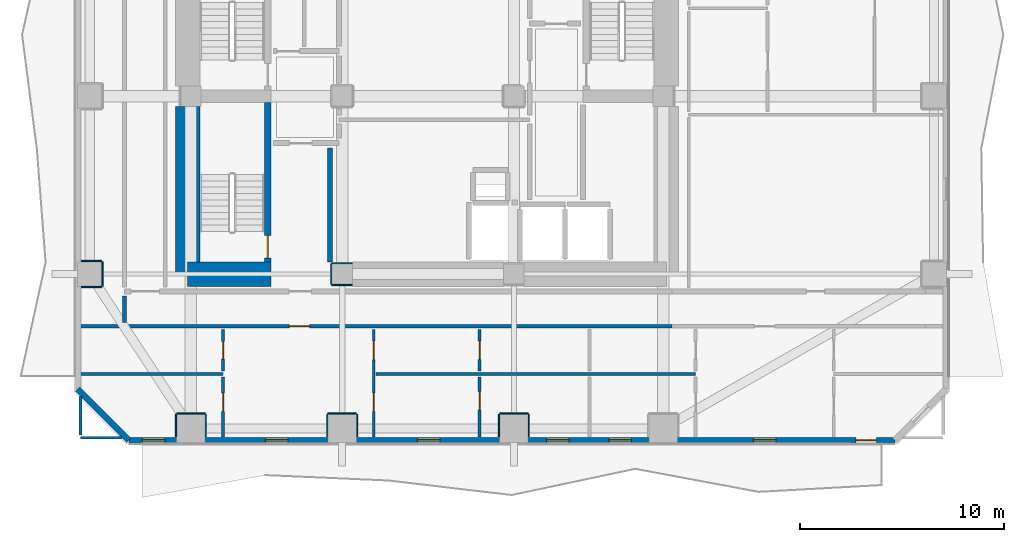
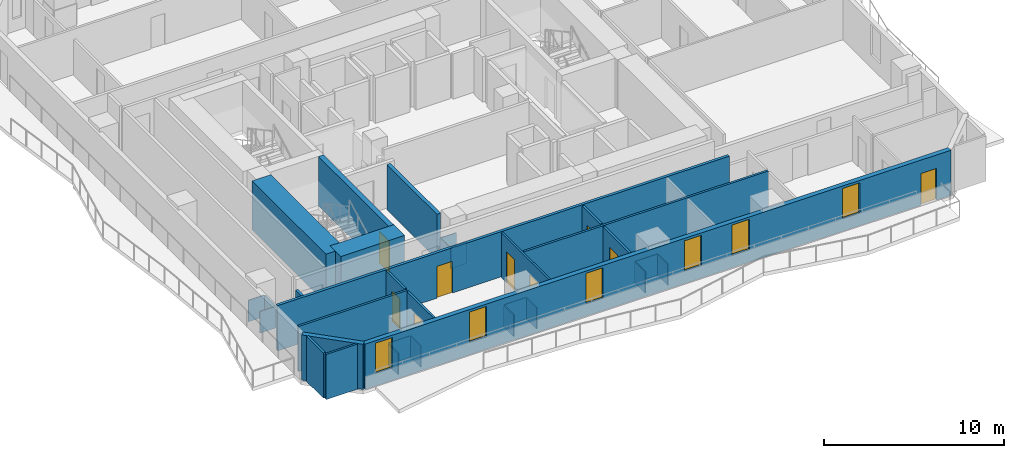
# One storey, part 2 of 11: 32 walls, 9 doors, 6 windows, 15 openings.
"""IFC4 building model written with IfcOpenShell, lengths in metres."""

from ifc_helpers import new_model, si_unit, direction, frame, frame_2d, origin, place, context, subcontext, project, spatial, rectangle, extrude, material, layer, layer_set, type_object, element, fill, save


model = new_model("IFC4")

# Units and contexts
model_context = context("Model", 3, precision=1e-05, world=origin(), true_north=direction((0.0, 1.0)))
body_context = subcontext(model_context, "Body", "Model", "MODEL_VIEW")
ifc_project = project(units=[si_unit("LENGTHUNIT", "METRE"), si_unit("AREAUNIT", "SQUARE_METRE"), si_unit("VOLUMEUNIT", "CUBIC_METRE"), si_unit("PLANEANGLEUNIT", "RADIAN"), si_unit("MASSUNIT", "GRAM", prefix="KILO")], contexts=[model_context])

# Site, building, storey
site_placement = place(None, origin())
site = spatial("IfcSite", under=ifc_project, at=site_placement, CompositionType="ELEMENT")
building_placement = place(site_placement, origin())
building = spatial("IfcBuilding", under=site, at=building_placement, Name="Solanera Arch Residences", CompositionType="ELEMENT")
storey_placement = place(building_placement, frame((0.0, 0.0, 75.1201171875)))
storey = spatial("IfcBuildingStorey", under=building, at=storey_placement, Name="L21", CompositionType="ELEMENT", Elevation=75.1201171875)

# Walls
ifc_material_1 = material(Name="Fire-Rated Gypsum Stud Partition", Category="gypsum")
ifc_layer_1 = layer(ifc_material_1, 0.06005859375)
ifc_layer_set_1 = layer_set([ifc_layer_1], Name="Fire-Rated Gypsum Stud Partition")
wall_type_1 = type_object("IfcWallType", Name="Column Acoustic Furring Wall 60", PredefinedType="PARTITIONING", material=ifc_layer_set_1)
for number, where, z_axis, x_axis, name in (
    (1, (20.300048828125, 21.468017578125, 0.0), (0.0, 0.0, 1.0), (1.0, 0.0, 0.0), "L21 Column Furring 1S"),
    (2, (20.300048828125, 22.531982421875, 0.0), (0.0, 0.0, 1.0), (1.0, 0.0, 0.0), "L21 Column Furring 1N"),
):
    element("IfcWall", number, at=place(storey_placement, frame(where, z_axis=z_axis, x_axis=x_axis)), inside=storey, type_object=wall_type_1, Name=name, PredefinedType="PARTITIONING", context=body_context, shape_type="SweptSolid", body=[
        extrude(rectangle(XDim=0.989990234375, YDim=0.06005859375, at=frame_2d((0.4951171875, 0.0))), origin(), (0.0, 0.0, 1.0), 1.449951171875),
    ])
wall_1_placement = place(storey_placement, frame((20.26806640625, 21.5, 0.0), z_axis=(0.0, 0.0, 1.0), x_axis=(0.0, 1.0, 0.0)))
element("IfcWall", 3, at=wall_1_placement, inside=storey, type_object=wall_type_1, Name="L21 Column Furring 1W", PredefinedType="PARTITIONING", context=body_context, shape_type="SweptSolid", body=[
    extrude(rectangle(XDim=1.0, YDim=0.06005859375, at=frame_2d((0.5, 0.0))), origin(), (0.0, 0.0, 1.0), 1.449951171875),
])
wall_2_placement = place(storey_placement, frame((12.699951171875, 15.181884765625, 0.0), z_axis=(0.0, 0.0, 1.0), x_axis=(1.0, 0.0, 0.0)))
element("IfcWall", 4, at=wall_2_placement, inside=storey, type_object=wall_type_1, Name="L21 Column Furring 9N", PredefinedType="PARTITIONING", context=body_context, shape_type="SweptSolid", body=[
    extrude(rectangle(XDim=1.400146484375, YDim=0.06005859375, at=frame_2d((0.7001953125, 0.0))), origin(), (0.0, 0.0, 1.0), 1.449951171875),
])
for number, where, z_axis, x_axis, name in (
    (5, (12.66796875, 14.030029296875, 0.0), (0.0, 0.0, 1.0), (0.0, 1.0, 0.0), "L21 Column Furring 9W"),
    (6, (14.132080078125, 14.030029296875, 0.0), (0.0, 0.0, 1.0), (0.0, 1.0, 0.0), "L21 Column Furring 9E"),
):
    element("IfcWall", number, at=place(storey_placement, frame(where, z_axis=z_axis, x_axis=x_axis)), inside=storey, type_object=wall_type_1, Name=name, PredefinedType="PARTITIONING", context=body_context, shape_type="SweptSolid", body=[
        extrude(rectangle(XDim=1.119873046875, YDim=0.06005859375, at=frame_2d((0.56005859375, 0.0))), origin(), (0.0, 0.0, 1.0), 1.449951171875),
    ])
wall_3_placement = place(storey_placement, frame((20.10009765625, 15.181884765625, 0.0), z_axis=(0.0, 0.0, 1.0), x_axis=(1.0, 0.0, 0.0)))
element("IfcWall", 7, at=wall_3_placement, inside=storey, type_object=wall_type_1, Name="L21 Column Furring 11N", PredefinedType="PARTITIONING", context=body_context, shape_type="SweptSolid", body=[
    extrude(rectangle(XDim=1.39990234375, YDim=0.06005859375, at=frame_2d((0.699951171875, 0.0))), origin(), (0.0, 0.0, 1.0), 1.449951171875),
])
for number, where, z_axis, x_axis, name in (
    (8, (20.068115234375, 14.030029296875, 0.0), (0.0, 0.0, 1.0), (0.0, 1.0, 0.0), "L21 Column Furring 11W"),
    (9, (21.531982421875, 14.030029296875, 0.0), (0.0, 0.0, 1.0), (0.0, 1.0, 0.0), "L21 Column Furring 11E"),
):
    element("IfcWall", number, at=place(storey_placement, frame(where, z_axis=z_axis, x_axis=x_axis)), inside=storey, type_object=wall_type_1, Name=name, PredefinedType="PARTITIONING", context=body_context, shape_type="SweptSolid", body=[
        extrude(rectangle(XDim=1.119873046875, YDim=0.06005859375, at=frame_2d((0.56005859375, 0.0))), origin(), (0.0, 0.0, 1.0), 1.449951171875),
    ])
wall_4_placement = place(storey_placement, frame((28.5, 15.181884765625, 0.0), z_axis=(0.0, 0.0, 1.0), x_axis=(1.0, 0.0, 0.0)))
element("IfcWall", 10, at=wall_4_placement, inside=storey, type_object=wall_type_1, Name="L21 Column Furring 13N", PredefinedType="PARTITIONING", context=body_context, shape_type="SweptSolid", body=[
    extrude(rectangle(XDim=1.39990234375, YDim=0.06005859375, at=frame_2d((0.699951171875, 0.0))), origin(), (0.0, 0.0, 1.0), 1.449951171875),
])
for number, where, z_axis, x_axis, name in (
    (11, (28.468017578125, 14.030029296875, 0.0), (0.0, 0.0, 1.0), (0.0, 1.0, 0.0), "L21 Column Furring 13W"),
    (12, (29.931884765625, 14.030029296875, 0.0), (0.0, 0.0, 1.0), (0.0, 1.0, 0.0), "L21 Column Furring 13E"),
):
    element("IfcWall", number, at=place(storey_placement, frame(where, z_axis=z_axis, x_axis=x_axis)), inside=storey, type_object=wall_type_1, Name=name, PredefinedType="PARTITIONING", context=body_context, shape_type="SweptSolid", body=[
        extrude(rectangle(XDim=1.119873046875, YDim=0.06005859375, at=frame_2d((0.56005859375, 0.0))), origin(), (0.0, 0.0, 1.0), 1.449951171875),
    ])
for number, where, z_axis, x_axis, name in (
    (13, (8.030029296875, 21.367919921875, 0.0), (0.0, 0.0, 1.0), (1.0, 0.0, 0.0), "L21 Column Furring 17S"),
    (14, (8.030029296875, 22.632080078125, 0.0), (0.0, 0.0, 1.0), (1.0, 0.0, 0.0), "L21 Column Furring 17N"),
):
    element("IfcWall", number, at=place(storey_placement, frame(where, z_axis=z_axis, x_axis=x_axis)), inside=storey, type_object=wall_type_1, Name=name, PredefinedType="PARTITIONING", context=body_context, shape_type="SweptSolid", body=[
        extrude(rectangle(XDim=1.02001953125, YDim=0.06005859375, at=frame_2d((0.510009765625, 0.0))), origin(), (0.0, 0.0, 1.0), 1.449951171875),
    ])
wall_5_placement = place(storey_placement, frame((9.08203125, 21.39990234375, 0.0), z_axis=(0.0, 0.0, 1.0), x_axis=(0.0, 1.0, 0.0)))
element("IfcWall", 15, at=wall_5_placement, inside=storey, type_object=wall_type_1, Name="L21 Column Furring 17E", PredefinedType="PARTITIONING", context=body_context, shape_type="SweptSolid", body=[
    extrude(rectangle(XDim=1.2001953125, YDim=0.06005859375, at=frame_2d((0.60009765625, 0.0))), origin(), (0.0, 0.0, 1.0), 1.449951171875),
])
ifc_material_2 = material(Name="Concrete C55/67 (f'c = 60 MPa)", Category="concrete")
ifc_layer_2 = layer(ifc_material_2, 1.199951171875)
ifc_layer_set_2 = layer_set([ifc_layer_2], Name="Concrete C55/67 (f'c = 60 MPa)")
wall_type_2 = type_object("IfcWallType", Name="Core Shear Wall CW-1200", PredefinedType="SHEAR", material=ifc_layer_set_2)
wall_6_placement = place(storey_placement, frame((13.239990234375, 22.0, 0.0), z_axis=(0.0, 0.0, 1.0), x_axis=(0.0, 1.0, 0.0)))
element("IfcWall", 16, at=wall_6_placement, inside=storey, type_object=wall_type_2, Name="L21 West Core South Shear Wall", PredefinedType="SHEAR", context=body_context, shape_type="SweptSolid", body=[
    extrude(rectangle(XDim=8.195068359375, YDim=1.199951171875, at=frame_2d((4.09765625, 0.0))), origin(), (0.0, 0.0, 1.0), 3.31982421875),
])
wall_7_placement = place(storey_placement, frame((13.239990234375, 22.0, 0.0), z_axis=(0.0, 0.0, 1.0), x_axis=(1.0, 0.0, 0.0)))
element("IfcWall", 17, at=wall_7_placement, inside=storey, type_object=wall_type_2, Name="L21 South-West Core Shear Wall", PredefinedType="SHEAR", context=body_context, shape_type="SweptSolid", body=[
    extrude(rectangle(XDim=4.080078125, YDim=1.199951171875, at=frame_2d((2.0400390625, 0.0))), origin(), (0.0, 0.0, 1.0), 3.31982421875),
])

# Wall, opening, door
ifc_material_3 = material(Name="Concrete C40/50 (f'c = 45 MPa)", Category="concrete")
ifc_layer_3 = layer(ifc_material_3, 0.320068359375)
ifc_layer_set_3 = layer_set([ifc_layer_3], Name="Concrete C40/50 (f'c = 45 MPa)")
wall_type_3 = type_object("IfcWallType", Name="Core Shear Wall CW-320", PredefinedType="SHEAR", material=ifc_layer_set_3)
wall_8_placement = place(storey_placement, frame((17.159912109375, 22.60009765625, 0.0), z_axis=(0.0, 0.0, 1.0), x_axis=(0.0, 1.0, 0.0)))
wall_8 = element("IfcWall", 18, at=wall_8_placement, inside=storey, type_object=wall_type_3, Name="L21 Stair ST-T3 East Shear Wall", PredefinedType="SHEAR", context=body_context, shape_type="SweptSolid", body=[
    extrude(rectangle(XDim=7.7998046875, YDim=0.320068359375, at=frame_2d((3.89990234375, 0.0))), origin(), (0.0, 0.0, 1.0), 3.31982421875),
])
opening_1_placement = place(wall_8_placement, frame((0.18994140625, 0.0, 0.0)))
opening_1 = element("IfcOpeningElement", 19, at=opening_1_placement, cuts=wall_8, Name="Opening DF-01", PredefinedType="OPENING", context=body_context, shape_type="SweptSolid", body=[
    extrude(rectangle(XDim=1.10009765625, YDim=2.14990234375, at=frame_2d((0.550048828125, 1.074951171875))), frame((0.0, 0.169921875, 0.0), z_axis=(0.0, -1.0, 0.0), x_axis=(1.0, 0.0, 0.0)), (0.0, 0.0, 1.0), 0.3401),
])
ifc_material_4 = material(Name="Fire-Rated Architectural Hardwood", Category="wood")
door_type_1 = type_object("IfcDoorType", Name="Stair Exit Fire Door DF-01", OperationType="NOTDEFINED", PredefinedType="DOOR", material=ifc_material_4)
door_1_placement = place(opening_1_placement, origin())
door_1 = element("IfcDoor", 20, at=door_1_placement, inside=storey, type_object=door_type_1, Name="DR-L21-STAIR-ST-T3", OperationType="SINGLE_SWING_LEFT", OverallHeight=2.14990234375, OverallWidth=1.10009765625, PredefinedType="DOOR", context=body_context, shape_type="SweptSolid", body=[
    extrude(rectangle(XDim=1.10009765625, YDim=2.14990234375, at=frame_2d((0.550048828125, 1.074951171875))), frame((0.0, 0.02490234375, 0.0), z_axis=(0.0, -1.0, 0.0), x_axis=(1.0, 0.0, 0.0)), (0.0, 0.0, 1.0), 0.050048828125),
])
fill(opening_1, door_1)

ifc_material_5 = material(Name="Autoclaved Aerated Concrete Blockwork", Category="masonry")
ifc_layer_4 = layer(ifc_material_5, 0.179931640625)
ifc_layer_set_4 = layer_set([ifc_layer_4], Name="Autoclaved Aerated Concrete Blockwork")
wall_type_4 = type_object("IfcWallType", Name="Corridor Fire Partition 180", PredefinedType="PARTITIONING", material=ifc_layer_set_4)
wall_9_placement = place(storey_placement, frame((8.027099609375, 19.449951171875, 0.0), z_axis=(0.0, 0.0, 1.0), x_axis=(1.0, 0.0, 0.0)))
wall_9 = element("IfcWall", 21, at=wall_9_placement, inside=storey, type_object=wall_type_4, Name="L21 Interior Partition H6 1", PredefinedType="PARTITIONING", context=body_context, shape_type="SweptSolid", body=[
    extrude(rectangle(XDim=28.90185546875, YDim=0.179931640625, at=frame_2d((14.450927734375, 0.0))), origin(), (0.0, 0.0, 1.0), 3.059814453125),
])
opening_2_placement = place(wall_9_placement, frame((10.18701171875, 0.0, 0.0)))
opening_2 = element("IfcOpeningElement", 22, at=opening_2_placement, cuts=wall_9, Name="Opening DI-01", PredefinedType="OPENING", context=body_context, shape_type="SweptSolid", body=[
    extrude(rectangle(XDim=1.0, YDim=2.14990234375, at=frame_2d((0.5, 1.074951171875))), frame((0.0, 0.10009765625, 0.0), z_axis=(0.0, -1.0, 0.0), x_axis=(1.0, 0.0, 0.0)), (0.0, 0.0, 1.0), 0.1999),
])
ifc_material_6 = material(Name="Fire-Rated Architectural Hardwood", Category="wood")
door_type_2 = type_object("IfcDoorType", Name="Unit Entrance Fire Door DI-01", OperationType="NOTDEFINED", PredefinedType="DOOR", material=ifc_material_6)
door_2_placement = place(opening_2_placement, origin())
door_2 = element("IfcDoor", 23, at=door_2_placement, inside=storey, type_object=door_type_2, Name="DR-L21-IN-013", OperationType="SINGLE_SWING_LEFT", OverallHeight=2.14990234375, OverallWidth=1.0, PredefinedType="DOOR", context=body_context, shape_type="SweptSolid", body=[
    extrude(rectangle(XDim=1.0, YDim=2.14990234375, at=frame_2d((0.5, 1.074951171875))), frame((0.0, 0.02490234375, 0.0), z_axis=(0.0, -1.0, 0.0), x_axis=(1.0, 0.0, 0.0)), (0.0, 0.0, 1.0), 0.050048828125),
])
fill(opening_2, door_2)

# Wall
wall_10_placement = place(storey_placement, frame((10.14990234375, 19.637939453125, 0.0), z_axis=(0.0, 0.0, 1.0), x_axis=(0.0, 1.0, 0.0)))
element("IfcWall", 24, at=wall_10_placement, inside=storey, type_object=wall_type_4, Name="L21 Interior Partition V6 1", PredefinedType="PARTITIONING", context=body_context, shape_type="SweptSolid", body=[
    extrude(rectangle(XDim=1.2939453125, YDim=0.179931640625, at=frame_2d((0.64697265625, 0.0))), origin(), (0.0, 0.0, 1.0), 2.44482421875),
])

# Wall, openings, door, windows
ifc_material_7 = material(Name="Precast Concrete C35/45", Category="concrete")
ifc_layer_5 = layer(ifc_material_7, 0.300048828125)
ifc_layer_set_5 = layer_set([ifc_layer_5], Name="Precast Concrete C35/45")
wall_type_5 = type_object("IfcWallType", Name="Exterior Wall Precast Masonry-Frame 300", PredefinedType="STANDARD", material=ifc_layer_set_5)
wall_11_placement = place(storey_placement, frame((47.8349609375, 13.864990234375, 0.0), z_axis=(0.0, 0.0, 1.0), x_axis=(-1.0, 0.0, 0.0)))
wall_11 = element("IfcWall", 25, at=wall_11_placement, inside=storey, type_object=wall_type_5, Name="L21 Tower Exterior Precast Masonry-Frame Wall S", PredefinedType="STANDARD", context=body_context, shape_type="SweptSolid", body=[
    extrude(rectangle(XDim=37.469970703125, YDim=0.300048828125, at=frame_2d((18.73486328125, 0.0))), origin(), (0.0, 0.0, 1.0), 3.059814453125),
])
opening_3_placement = place(wall_11_placement, frame((0.90087890625, 0.0, 0.0)))
opening_3 = element("IfcOpeningElement", 26, at=opening_3_placement, cuts=wall_11, Name="Opening DB-01", PredefinedType="OPENING", context=body_context, shape_type="SweptSolid", body=[
    extrude(rectangle(XDim=1.0, YDim=2.14990234375, at=frame_2d((0.5, 1.074951171875))), frame((0.0, 0.159912109375, 0.0), z_axis=(0.0, -1.0, 0.0), x_axis=(1.0, 0.0, 0.0)), (0.0, 0.0, 1.0), 0.32),
])
opening_4_placement = place(wall_11_placement, frame((29.695068359375, 0.0, 0.85009765625)))
opening_4 = element("IfcOpeningElement", 27, at=opening_4_placement, cuts=wall_11, Name="Opening W-11", PredefinedType="OPENING", context=body_context, shape_type="SweptSolid", body=[
    extrude(rectangle(XDim=1.10009765625, YDim=2.050048828125, at=frame_2d((0.550048828125, 1.02490234375))), frame((0.0, 0.159912109375, 0.0), z_axis=(0.0, -1.0, 0.0), x_axis=(1.0, 0.0, 0.0)), (0.0, 0.0, 1.0), 0.32),
])
opening_5_placement = place(wall_11_placement, frame((35.7080078125, 0.0, 0.85009765625)))
opening_5 = element("IfcOpeningElement", 28, at=opening_5_placement, cuts=wall_11, Name="Opening W-11", PredefinedType="OPENING", context=body_context, shape_type="SweptSolid", body=[
    extrude(rectangle(XDim=1.10009765625, YDim=2.050048828125, at=frame_2d((0.550048828125, 1.02490234375))), frame((0.0, 0.159912109375, 0.0), z_axis=(0.0, -1.0, 0.0), x_axis=(1.0, 0.0, 0.0)), (0.0, 0.0, 1.0), 0.32),
])
opening_6_placement = place(wall_11_placement, frame((22.2509765625, 0.0, 0.85009765625)))
opening_6 = element("IfcOpeningElement", 29, at=opening_6_placement, cuts=wall_11, Name="Opening W-11", PredefinedType="OPENING", context=body_context, shape_type="SweptSolid", body=[
    extrude(rectangle(XDim=1.10009765625, YDim=2.050048828125, at=frame_2d((0.550048828125, 1.02490234375))), frame((0.0, 0.159912109375, 0.0), z_axis=(0.0, -1.0, 0.0), x_axis=(1.0, 0.0, 0.0)), (0.0, 0.0, 1.0), 0.32),
])
opening_7_placement = place(wall_11_placement, frame((15.93896484375, 0.0, 0.85009765625)))
opening_7 = element("IfcOpeningElement", 30, at=opening_7_placement, cuts=wall_11, Name="Opening W-11", PredefinedType="OPENING", context=body_context, shape_type="SweptSolid", body=[
    extrude(rectangle(XDim=1.10009765625, YDim=2.050048828125, at=frame_2d((0.550048828125, 1.02490234375))), frame((0.0, 0.159912109375, 0.0), z_axis=(0.0, -1.0, 0.0), x_axis=(1.0, 0.0, 0.0)), (0.0, 0.0, 1.0), 0.32),
])
opening_8_placement = place(wall_11_placement, frame((5.824951171875, 0.0, 0.85009765625)))
opening_8 = element("IfcOpeningElement", 31, at=opening_8_placement, cuts=wall_11, Name="Opening W-11", PredefinedType="OPENING", context=body_context, shape_type="SweptSolid", body=[
    extrude(rectangle(XDim=1.10009765625, YDim=2.050048828125, at=frame_2d((0.550048828125, 1.02490234375))), frame((0.0, 0.159912109375, 0.0), z_axis=(0.0, -1.0, 0.0), x_axis=(1.0, 0.0, 0.0)), (0.0, 0.0, 1.0), 0.32),
])
opening_9_placement = place(wall_11_placement, frame((12.888916015625, 0.0, 0.85009765625)))
opening_9 = element("IfcOpeningElement", 32, at=opening_9_placement, cuts=wall_11, Name="Opening W-11", PredefinedType="OPENING", context=body_context, shape_type="SweptSolid", body=[
    extrude(rectangle(XDim=1.10009765625, YDim=2.050048828125, at=frame_2d((0.550048828125, 1.02490234375))), frame((0.0, 0.159912109375, 0.0), z_axis=(0.0, -1.0, 0.0), x_axis=(1.0, 0.0, 0.0)), (0.0, 0.0, 1.0), 0.32),
])
ifc_material_8 = material(Name="Anodised Aluminium Alloy 6063-T6", Category="aluminium")
door_type_3 = type_object("IfcDoorType", Name="Glazed Balcony Swing Door DB-01", OperationType="NOTDEFINED", PredefinedType="DOOR", material=ifc_material_8)
door_3_placement = place(opening_3_placement, origin())
door_3 = element("IfcDoor", 33, at=door_3_placement, inside=storey, type_object=door_type_3, Name="DR-L21-OUT-01", OperationType="SINGLE_SWING_LEFT", OverallHeight=2.14990234375, OverallWidth=1.0, PredefinedType="DOOR", context=body_context, shape_type="SweptSolid", body=[
    extrude(rectangle(XDim=1.0, YDim=2.14990234375, at=frame_2d((0.5, 1.074951171875))), frame((0.0, 0.02490234375, 0.0), z_axis=(0.0, -1.0, 0.0), x_axis=(1.0, 0.0, 0.0)), (0.0, 0.0, 1.0), 0.050048828125),
])
fill(opening_3, door_3)
ifc_material_9 = material(Name="Double Glazed Low-E Laminated Glass", Category="glass")
window_type = type_object("IfcWindowType", Name="Punched Window W-11", PartitioningType="SINGLE_PANEL", PredefinedType="WINDOW", material=ifc_material_9)
window_1_placement = place(opening_4_placement, origin())
window_1 = element("IfcWindow", 34, at=window_1_placement, inside=storey, type_object=window_type, Name="L21 2101-LIV Punched Window", OverallHeight=2.050048828125, OverallWidth=1.10009765625, PartitioningType="SINGLE_PANEL", PredefinedType="WINDOW", context=body_context, shape_type="SweptSolid", body=[
    extrude(rectangle(XDim=1.10009765625, YDim=2.050048828125, at=frame_2d((0.550048828125, 1.02490234375))), frame((0.0, 0.030029296875, 0.0), z_axis=(0.0, -1.0, 0.0), x_axis=(1.0, 0.0, 0.0)), (0.0, 0.0, 1.0), 0.06005859375),
])
fill(opening_4, window_1)
window_2_placement = place(opening_5_placement, origin())
window_2 = element("IfcWindow", 35, at=window_2_placement, inside=storey, type_object=window_type, Name="L21 2101-BR1 Punched Window", OverallHeight=2.050048828125, OverallWidth=1.10009765625, PartitioningType="SINGLE_PANEL", PredefinedType="WINDOW", context=body_context, shape_type="SweptSolid", body=[
    extrude(rectangle(XDim=1.10009765625, YDim=2.050048828125, at=frame_2d((0.550048828125, 1.02490234375))), frame((0.0, 0.030029296875, 0.0), z_axis=(0.0, -1.0, 0.0), x_axis=(1.0, 0.0, 0.0)), (0.0, 0.0, 1.0), 0.06005859375),
])
fill(opening_5, window_2)
window_3_placement = place(opening_6_placement, origin())
window_3 = element("IfcWindow", 36, at=window_3_placement, inside=storey, type_object=window_type, Name="L21 2101-BR2 Punched Window", OverallHeight=2.050048828125, OverallWidth=1.10009765625, PartitioningType="SINGLE_PANEL", PredefinedType="WINDOW", context=body_context, shape_type="SweptSolid", body=[
    extrude(rectangle(XDim=1.10009765625, YDim=2.050048828125, at=frame_2d((0.550048828125, 1.02490234375))), frame((0.0, 0.030029296875, 0.0), z_axis=(0.0, -1.0, 0.0), x_axis=(1.0, 0.0, 0.0)), (0.0, 0.0, 1.0), 0.06005859375),
])
fill(opening_6, window_3)
window_4_placement = place(opening_7_placement, origin())
window_4 = element("IfcWindow", 37, at=window_4_placement, inside=storey, type_object=window_type, Name="L21 2101-BR3 Punched Window", OverallHeight=2.050048828125, OverallWidth=1.10009765625, PartitioningType="SINGLE_PANEL", PredefinedType="WINDOW", context=body_context, shape_type="SweptSolid", body=[
    extrude(rectangle(XDim=1.10009765625, YDim=2.050048828125, at=frame_2d((0.550048828125, 1.02490234375))), frame((0.0, 0.030029296875, 0.0), z_axis=(0.0, -1.0, 0.0), x_axis=(1.0, 0.0, 0.0)), (0.0, 0.0, 1.0), 0.06005859375),
])
fill(opening_7, window_4)
window_5_placement = place(opening_8_placement, origin())
window_5 = element("IfcWindow", 38, at=window_5_placement, inside=storey, type_object=window_type, Name="L21 2102-LIV Punched Window", OverallHeight=2.050048828125, OverallWidth=1.10009765625, PartitioningType="SINGLE_PANEL", PredefinedType="WINDOW", context=body_context, shape_type="SweptSolid", body=[
    extrude(rectangle(XDim=1.10009765625, YDim=2.050048828125, at=frame_2d((0.550048828125, 1.02490234375))), frame((0.0, 0.030029296875, 0.0), z_axis=(0.0, -1.0, 0.0), x_axis=(1.0, 0.0, 0.0)), (0.0, 0.0, 1.0), 0.06005859375),
])
fill(opening_8, window_5)
window_6_placement = place(opening_9_placement, origin())
window_6 = element("IfcWindow", 39, at=window_6_placement, inside=storey, type_object=window_type, Name="L21 2102-BR1 Punched Window", OverallHeight=2.050048828125, OverallWidth=1.10009765625, PartitioningType="SINGLE_PANEL", PredefinedType="WINDOW", context=body_context, shape_type="SweptSolid", body=[
    extrude(rectangle(XDim=1.10009765625, YDim=2.050048828125, at=frame_2d((0.550048828125, 1.02490234375))), frame((0.0, 0.030029296875, 0.0), z_axis=(0.0, -1.0, 0.0), x_axis=(1.0, 0.0, 0.0)), (0.0, 0.0, 1.0), 0.06005859375),
])
fill(opening_9, window_6)

# Walls
wall_12_placement = place(storey_placement, frame((10.364990234375, 13.864990234375, 0.0), z_axis=(0.0, 0.0, 1.0), x_axis=(-0.707106781187, 0.707106781187, 0.0)))
element("IfcWall", 40, at=wall_12_placement, inside=storey, type_object=wall_type_5, Name="L21 Tower Exterior Precast Masonry-Frame Wall CH7", PredefinedType="STANDARD", context=body_context, shape_type="SweptSolid", body=[
    extrude(rectangle(XDim=3.53564453125, YDim=0.300048828125, at=frame_2d((1.767822265625, 0.0))), origin(), (0.0, 0.0, 1.0), 3.059814453125),
])
ifc_material_10 = material(Name="Autoclaved Aerated Concrete Blockwork", Category="masonry")
ifc_layer_6 = layer(ifc_material_10, 0.239990234375)
ifc_layer_set_6 = layer_set([ifc_layer_6], Name="Autoclaved Aerated Concrete Blockwork")
wall_type_6 = type_object("IfcWallType", Name="Shaft Wall Fire-Rated 240", PredefinedType="PARTITIONING", material=ifc_layer_set_6)
wall_13_placement = place(storey_placement, frame((20.199951171875, 22.5859375, 0.0), z_axis=(0.0, 0.0, 1.0), x_axis=(0.0, 1.0, 0.0)))
element("IfcWall", 41, at=wall_13_placement, inside=storey, type_object=wall_type_6, Name="L21 Interior Partition V2", PredefinedType="PARTITIONING", context=body_context, shape_type="SweptSolid", body=[
    extrude(rectangle(XDim=5.566162109375, YDim=0.239990234375, at=frame_2d((2.783203125, 0.0))), origin(), (0.0, 0.0, 1.0), 3.059814453125),
])
ifc_material_11 = material(Name="Fire-Rated Gypsum Stud Partition", Category="gypsum")
ifc_layer_7 = layer(ifc_material_11, 0.1201171875)
ifc_layer_set_7 = layer_set([ifc_layer_7], Name="Fire-Rated Gypsum Stud Partition")
wall_type_7 = type_object("IfcWallType", Name="Unit Drywall Partition 120", PredefinedType="PARTITIONING", material=ifc_layer_set_7)
wall_14_placement = place(storey_placement, frame((8.0, 14.0, 0.0), z_axis=(0.0, 0.0, 1.0), x_axis=(1.0, 0.0, 0.0)))
element("IfcWall", 42, at=wall_14_placement, inside=storey, type_object=wall_type_7, Name="L21 Interior Partition H19 1", PredefinedType="PARTITIONING", context=body_context, shape_type="SweptSolid", body=[
    extrude(rectangle(XDim=2.0009765625, YDim=0.1201171875, at=frame_2d((1.00048828125, 0.0))), origin(), (0.0, 0.0, 1.0), 3.059814453125),
])

# Wall, openings, doors
wall_15_placement = place(storey_placement, frame((22.35205078125, 14.027099609375, 0.0), z_axis=(0.0, 0.0, 1.0), x_axis=(0.0, 1.0, 0.0)))
wall_15 = element("IfcWall", 43, at=wall_15_placement, inside=storey, type_object=wall_type_7, Name="L21 Interior Partition V22", PredefinedType="PARTITIONING", context=body_context, shape_type="SweptSolid", body=[
    extrude(rectangle(XDim=5.264892578125, YDim=0.1201171875, at=frame_2d((2.63232421875, 0.0))), origin(), (0.0, 0.0, 1.0), 3.059814453125),
])
opening_10_placement = place(wall_15_placement, frame((3.7890625, 0.0, 0.0)))
opening_10 = element("IfcOpeningElement", 44, at=opening_10_placement, cuts=wall_15, Name="Opening DI-02", PredefinedType="OPENING", context=body_context, shape_type="SweptSolid", body=[
    extrude(rectangle(XDim=0.89990234375, YDim=2.10009765625, at=frame_2d((0.449951171875, 1.050048828125))), frame((0.0, 0.070068359375, 0.0), z_axis=(0.0, -1.0, 0.0), x_axis=(1.0, 0.0, 0.0)), (0.0, 0.0, 1.0), 0.1401),
])
opening_11_placement = place(wall_15_placement, frame((1.2490234375, 0.0, 0.0)))
opening_11 = element("IfcOpeningElement", 45, at=opening_11_placement, cuts=wall_15, Name="Opening DI-03", PredefinedType="OPENING", context=body_context, shape_type="SweptSolid", body=[
    extrude(rectangle(XDim=0.89990234375, YDim=2.10009765625, at=frame_2d((0.449951171875, 1.050048828125))), frame((0.0, 0.070068359375, 0.0), z_axis=(0.0, -1.0, 0.0), x_axis=(1.0, 0.0, 0.0)), (0.0, 0.0, 1.0), 0.1401),
])
ifc_material_12 = material(Name="Fire-Rated Architectural Hardwood", Category="wood")
door_type_4 = type_object("IfcDoorType", Name="Bedroom Swing Door DI-03", OperationType="NOTDEFINED", PredefinedType="DOOR", material=ifc_material_12)
door_4_placement = place(opening_11_placement, origin())
door_4 = element("IfcDoor", 46, at=door_4_placement, inside=storey, type_object=door_type_4, Name="DR-L21-IN-018", OperationType="SINGLE_SWING_RIGHT", OverallHeight=2.10009765625, OverallWidth=0.89990234375, PredefinedType="DOOR", context=body_context, shape_type="SweptSolid", body=[
    extrude(rectangle(XDim=0.89990234375, YDim=2.10009765625, at=frame_2d((0.449951171875, 1.050048828125))), frame((0.0, 0.02490234375, 0.0), z_axis=(0.0, -1.0, 0.0), x_axis=(1.0, 0.0, 0.0)), (0.0, 0.0, 1.0), 0.050048828125),
])
fill(opening_11, door_4)
ifc_material_13 = material(Name="Fire-Rated Architectural Hardwood", Category="wood")
door_type_5 = type_object("IfcDoorType", Name="Suite Room Swing Door DI-02", OperationType="NOTDEFINED", PredefinedType="DOOR", material=ifc_material_13)
door_5_placement = place(opening_10_placement, origin())
door_5 = element("IfcDoor", 47, at=door_5_placement, inside=storey, type_object=door_type_5, Name="DR-L21-IN-016", OperationType="SINGLE_SWING_RIGHT", OverallHeight=2.10009765625, OverallWidth=0.89990234375, PredefinedType="DOOR", context=body_context, shape_type="SweptSolid", body=[
    extrude(rectangle(XDim=0.89990234375, YDim=2.10009765625, at=frame_2d((0.449951171875, 1.050048828125))), frame((0.0, 0.02490234375, 0.0), z_axis=(0.0, -1.0, 0.0), x_axis=(1.0, 0.0, 0.0)), (0.0, 0.0, 1.0), 0.050048828125),
])
fill(opening_10, door_5)

# Walls
ifc_material_14 = material(Name="Autoclaved Aerated Concrete Blockwork", Category="masonry")
ifc_layer_8 = layer(ifc_material_14, 0.139892578125)
ifc_layer_set_8 = layer_set([ifc_layer_8], Name="Autoclaved Aerated Concrete Blockwork")
wall_type_8 = type_object("IfcWallType", Name="Wet-Room Partition 140", PredefinedType="PARTITIONING", material=ifc_layer_set_8)
wall_16_placement = place(storey_placement, frame((8.027099609375, 17.10693359375, 0.0), z_axis=(0.0, 0.0, 1.0), x_axis=(1.0, 0.0, 0.0)))
element("IfcWall", 48, at=wall_16_placement, inside=storey, type_object=wall_type_8, Name="L21 Interior Partition H12", PredefinedType="PARTITIONING", context=body_context, shape_type="SweptSolid", body=[
    extrude(rectangle(XDim=6.952880859375, YDim=0.139892578125, at=frame_2d((3.4765625, 0.0))), origin(), (0.0, 0.0, 1.0), 3.059814453125),
])
wall_17_placement = place(storey_placement, frame((22.447998046875, 17.10693359375, 0.0), z_axis=(0.0, 0.0, 1.0), x_axis=(1.0, 0.0, 0.0)))
element("IfcWall", 49, at=wall_17_placement, inside=storey, type_object=wall_type_8, Name="L21 Interior Partition H13", PredefinedType="PARTITIONING", context=body_context, shape_type="SweptSolid", body=[
    extrude(rectangle(XDim=15.635986328125, YDim=0.139892578125, at=frame_2d((7.81787109375, 0.0))), origin(), (0.0, 0.0, 1.0), 3.059814453125),
])
wall_18_placement = place(storey_placement, frame((8.0, 14.137939453125, 0.0), z_axis=(0.0, 0.0, 1.0), x_axis=(0.0, 1.0, 0.0)))
element("IfcWall", 50, at=wall_18_placement, inside=storey, type_object=wall_type_8, Name="L21 Interior Partition V10", PredefinedType="PARTITIONING", context=body_context, shape_type="SweptSolid", body=[
    extrude(rectangle(XDim=1.863037109375, YDim=0.139892578125, at=frame_2d((0.931640625, 0.0))), origin(), (0.0, 0.0, 1.0), 3.059814453125),
])

# Wall, opening, door
wall_19_placement = place(storey_placement, frame((14.97998046875, 14.027099609375, 0.0), z_axis=(0.0, 0.0, 1.0), x_axis=(0.0, 1.0, 0.0)))
wall_19 = element("IfcWall", 51, at=wall_19_placement, inside=storey, type_object=wall_type_8, Name="L21 Interior Partition V13 1", PredefinedType="PARTITIONING", context=body_context, shape_type="SweptSolid", body=[
    extrude(rectangle(XDim=2.931884765625, YDim=0.139892578125, at=frame_2d((1.4658203125, 0.0))), origin(), (0.0, 0.0, 1.0), 3.059814453125),
])
opening_12_placement = place(wall_19_placement, frame((1.2490234375, 0.0, 0.0)))
opening_12 = element("IfcOpeningElement", 52, at=opening_12_placement, cuts=wall_19, Name="Opening DI-03", PredefinedType="OPENING", context=body_context, shape_type="SweptSolid", body=[
    extrude(rectangle(XDim=0.89990234375, YDim=2.10009765625, at=frame_2d((0.449951171875, 1.050048828125))), frame((0.0, 0.079833984375, 0.0), z_axis=(0.0, -1.0, 0.0), x_axis=(1.0, 0.0, 0.0)), (0.0, 0.0, 1.0), 0.1599),
])
door_6_placement = place(opening_12_placement, origin())
door_6 = element("IfcDoor", 53, at=door_6_placement, inside=storey, type_object=door_type_4, Name="DR-L21-IN-015", OperationType="SINGLE_SWING_LEFT", OverallHeight=2.10009765625, OverallWidth=0.89990234375, PredefinedType="DOOR", context=body_context, shape_type="SweptSolid", body=[
    extrude(rectangle(XDim=0.89990234375, YDim=2.10009765625, at=frame_2d((0.449951171875, 1.050048828125))), frame((0.0, 0.02490234375, 0.0), z_axis=(0.0, -1.0, 0.0), x_axis=(1.0, 0.0, 0.0)), (0.0, 0.0, 1.0), 0.050048828125),
])
fill(opening_12, door_6)

wall_20_placement = place(storey_placement, frame((14.97998046875, 17.2548828125, 0.0), z_axis=(0.0, 0.0, 1.0), x_axis=(0.0, 1.0, 0.0)))
wall_20 = element("IfcWall", 54, at=wall_20_placement, inside=storey, type_object=wall_type_8, Name="L21 Interior Partition V13 2", PredefinedType="PARTITIONING", context=body_context, shape_type="SweptSolid", body=[
    extrude(rectangle(XDim=2.027099609375, YDim=0.139892578125, at=frame_2d((1.013671875, 0.0))), origin(), (0.0, 0.0, 1.0), 3.059814453125),
])
opening_13_placement = place(wall_20_placement, frame((0.5810546875, 0.0, 0.0)))
opening_13 = element("IfcOpeningElement", 55, at=opening_13_placement, cuts=wall_20, Name="Opening DI-05", PredefinedType="OPENING", context=body_context, shape_type="SweptSolid", body=[
    extrude(rectangle(XDim=0.860107421875, YDim=2.02001953125, at=frame_2d((0.43017578125, 1.010009765625))), frame((0.0, 0.079833984375, 0.0), z_axis=(0.0, -1.0, 0.0), x_axis=(1.0, 0.0, 0.0)), (0.0, 0.0, 1.0), 0.1599),
])
ifc_material_15 = material(Name="Fire-Rated Architectural Hardwood", Category="wood")
door_type_6 = type_object("IfcDoorType", Name="Bathroom Swing Door DI-05", OperationType="NOTDEFINED", PredefinedType="DOOR", material=ifc_material_15)
door_7_placement = place(opening_13_placement, origin())
door_7 = element("IfcDoor", 56, at=door_7_placement, inside=storey, type_object=door_type_6, Name="DR-L21-IN-014", OperationType="SINGLE_SWING_RIGHT", OverallHeight=2.02001953125, OverallWidth=0.860107421875, PredefinedType="DOOR", context=body_context, shape_type="SweptSolid", body=[
    extrude(rectangle(XDim=0.860107421875, YDim=2.02001953125, at=frame_2d((0.43017578125, 1.010009765625))), frame((0.0, 0.02490234375, 0.0), z_axis=(0.0, -1.0, 0.0), x_axis=(1.0, 0.0, 0.0)), (0.0, 0.0, 1.0), 0.050048828125),
])
fill(opening_13, door_7)

wall_21_placement = place(storey_placement, frame((27.52001953125, 14.027099609375, 0.0), z_axis=(0.0, 0.0, 1.0), x_axis=(0.0, 1.0, 0.0)))
wall_21 = element("IfcWall", 57, at=wall_21_placement, inside=storey, type_object=wall_type_8, Name="L21 Interior Partition V14 1", PredefinedType="PARTITIONING", context=body_context, shape_type="SweptSolid", body=[
    extrude(rectangle(XDim=2.931884765625, YDim=0.139892578125, at=frame_2d((1.4658203125, 0.0))), origin(), (0.0, 0.0, 1.0), 3.059814453125),
])
opening_14_placement = place(wall_21_placement, frame((1.31689453125, 0.0, 0.0)))
opening_14 = element("IfcOpeningElement", 58, at=opening_14_placement, cuts=wall_21, Name="Opening DI-03", PredefinedType="OPENING", context=body_context, shape_type="SweptSolid", body=[
    extrude(rectangle(XDim=0.89990234375, YDim=2.10009765625, at=frame_2d((0.449951171875, 1.050048828125))), frame((0.0, 0.079833984375, 0.0), z_axis=(0.0, -1.0, 0.0), x_axis=(1.0, 0.0, 0.0)), (0.0, 0.0, 1.0), 0.1599),
])
door_8_placement = place(opening_14_placement, origin())
door_8 = element("IfcDoor", 59, at=door_8_placement, inside=storey, type_object=door_type_4, Name="DR-L21-IN-019", OperationType="SINGLE_SWING_LEFT", OverallHeight=2.10009765625, OverallWidth=0.89990234375, PredefinedType="DOOR", context=body_context, shape_type="SweptSolid", body=[
    extrude(rectangle(XDim=0.89990234375, YDim=2.10009765625, at=frame_2d((0.449951171875, 1.050048828125))), frame((0.0, 0.02490234375, 0.0), z_axis=(0.0, -1.0, 0.0), x_axis=(1.0, 0.0, 0.0)), (0.0, 0.0, 1.0), 0.050048828125),
])
fill(opening_14, door_8)

wall_22_placement = place(storey_placement, frame((27.52001953125, 17.2548828125, 0.0), z_axis=(0.0, 0.0, 1.0), x_axis=(0.0, 1.0, 0.0)))
wall_22 = element("IfcWall", 60, at=wall_22_placement, inside=storey, type_object=wall_type_8, Name="L21 Interior Partition V14 2", PredefinedType="PARTITIONING", context=body_context, shape_type="SweptSolid", body=[
    extrude(rectangle(XDim=2.027099609375, YDim=0.139892578125, at=frame_2d((1.013671875, 0.0))), origin(), (0.0, 0.0, 1.0), 3.059814453125),
])
opening_15_placement = place(wall_22_placement, frame((0.572998046875, 0.0, 0.0)))
opening_15 = element("IfcOpeningElement", 61, at=opening_15_placement, cuts=wall_22, Name="Opening DI-02", PredefinedType="OPENING", context=body_context, shape_type="SweptSolid", body=[
    extrude(rectangle(XDim=0.89990234375, YDim=2.10009765625, at=frame_2d((0.449951171875, 1.050048828125))), frame((0.0, 0.079833984375, 0.0), z_axis=(0.0, -1.0, 0.0), x_axis=(1.0, 0.0, 0.0)), (0.0, 0.0, 1.0), 0.1599),
])
door_9_placement = place(opening_15_placement, origin())
door_9 = element("IfcDoor", 62, at=door_9_placement, inside=storey, type_object=door_type_5, Name="DR-L21-IN-017", OperationType="SINGLE_SWING_LEFT", OverallHeight=2.10009765625, OverallWidth=0.89990234375, PredefinedType="DOOR", context=body_context, shape_type="SweptSolid", body=[
    extrude(rectangle(XDim=0.89990234375, YDim=2.10009765625, at=frame_2d((0.449951171875, 1.050048828125))), frame((0.0, 0.02490234375, 0.0), z_axis=(0.0, -1.0, 0.0), x_axis=(1.0, 0.0, 0.0)), (0.0, 0.0, 1.0), 0.050048828125),
])
fill(opening_15, door_9)

save(model, "model.ifc")
